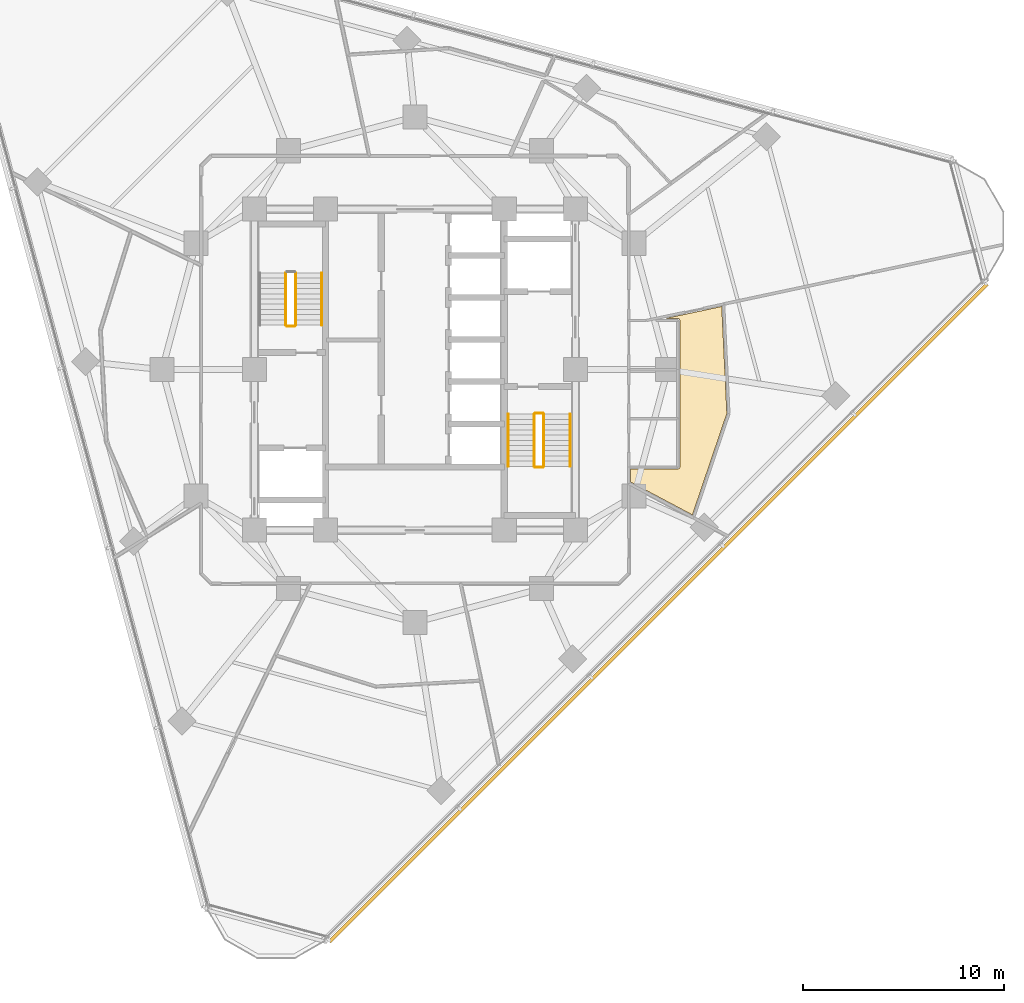
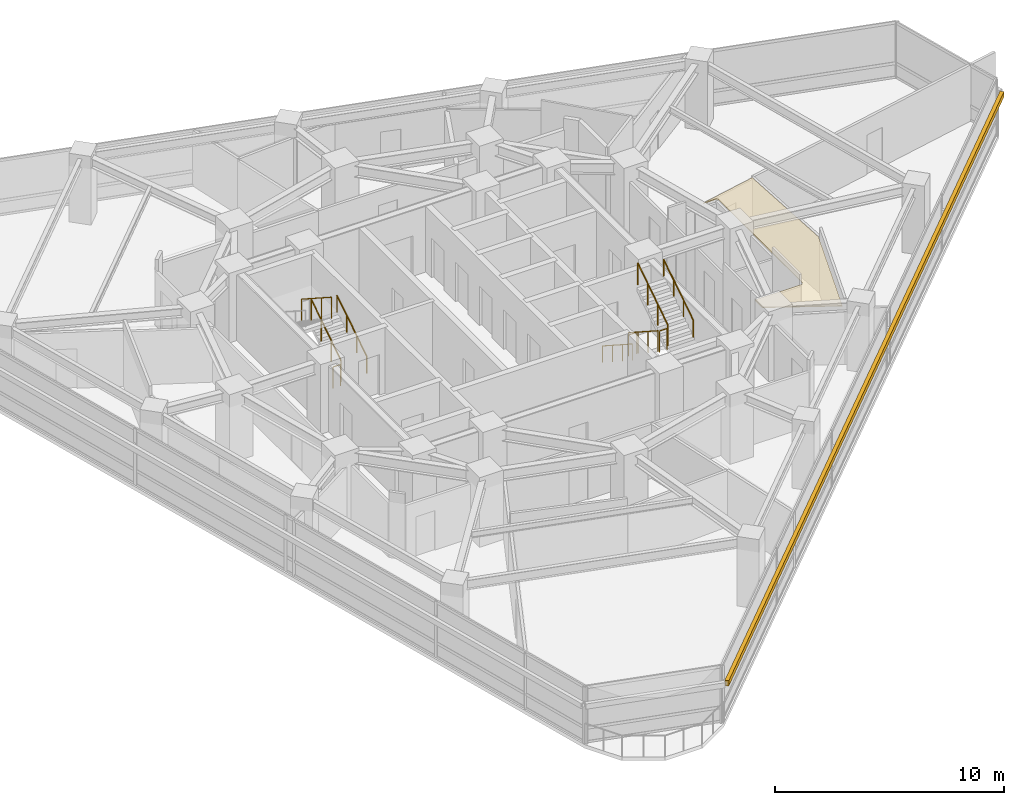
# One storey, part 12 of 14: 10 railings, 1 covering, 1 shading device.
"""IFC4 building model written with IfcOpenShell, lengths in metres."""

from ifc_helpers import new_model, si_unit, direction, frame, origin, origin_2d, place, context, subcontext, project, spatial, polyline, rectangle, circle, outline, extrude, material, layer, layer_set, type_object, element, save


model = new_model("IFC4")

# Units and contexts
model_context = context("Model", 3, precision=1e-05, world=origin(), true_north=direction((0.0, 1.0)))
body_context = subcontext(model_context, "Body", "Model", "MODEL_VIEW")
ifc_project = project(units=[si_unit("LENGTHUNIT", "METRE"), si_unit("AREAUNIT", "SQUARE_METRE"), si_unit("VOLUMEUNIT", "CUBIC_METRE"), si_unit("PLANEANGLEUNIT", "RADIAN"), si_unit("MASSUNIT", "GRAM", prefix="KILO")], contexts=[model_context])

# Site, building, storey
site_placement = place(None, origin())
site = spatial("IfcSite", under=ifc_project, at=site_placement, CompositionType="ELEMENT")
building_placement = place(site_placement, origin())
building = spatial("IfcBuilding", under=site, at=building_placement, Name="Terralouvre Media Tower", CompositionType="ELEMENT")
storey_placement = place(building_placement, frame((0.0, 0.0, 187.89990234375)))
storey = spatial("IfcBuildingStorey", under=building, at=storey_placement, Name="L48", CompositionType="ELEMENT", Elevation=187.89990234375)

# Covering
ifc_material_1 = material(Name="Perforated aluminium acoustic ceiling baffle", Category="aluminium")
ifc_layer_1 = layer(ifc_material_1, 0.0400390625, Name="Perforated Acoustic Metal Tile Ceiling CL-AC1")
ifc_layer_set_1 = layer_set([ifc_layer_1], Name="Perforated aluminium acoustic ceiling baffle")
covering_type = type_object("IfcCoveringType", Name="Perforated Acoustic Metal Tile Ceiling CL-AC1", PredefinedType="CEILING", material=ifc_layer_set_1)
covering_placement = place(storey_placement, frame((0.0, 0.0, 2.97998046875), z_axis=(0.0, 0.0, 1.0), x_axis=(0.707106781187, 0.707106781187, 0.0)))
element("IfcCovering", 1, at=covering_placement, inside=storey, type_object=covering_type, Name="L48 Artist Hospitality Kitchen 6 Acoustic Ceiling", PredefinedType="CEILING", context=body_context, shape_type="SweptSolid", body=[
    extrude(outline(polyline([(9.447265625, -12.537109375), (13.037109375, -8.585693359375), (10.6259765625, -7.019775390625), (11.066162109375, -7.4599609375), (11.07275390625, -7.46728515625), (11.07861328125, -7.47509765625), (11.083740234375, -7.483642578125), (11.087890625, -7.492431640625), (11.091064453125, -7.501708984375), (11.093505859375, -7.51123046875), (11.094970703125, -7.520751953125), (11.095458984375, -7.53076171875), (11.094970703125, -7.54052734375), (11.093505859375, -7.550048828125), (11.091064453125, -7.559814453125), (11.087890625, -7.56884765625), (11.083740234375, -7.577880859375), (11.07861328125, -7.586181640625), (11.07275390625, -7.593994140625), (11.066162109375, -7.601318359375), (5.904296875, -12.76318359375), (5.89697265625, -12.769775390625), (5.88916015625, -12.775634765625), (5.880859375, -12.78076171875), (5.871826171875, -12.784912109375), (5.86279296875, -12.788330078125), (5.85302734375, -12.79052734375), (5.843505859375, -12.7919921875), (5.833740234375, -12.79248046875), (5.82373046875, -12.7919921875), (5.814208984375, -12.79052734375), (5.8046875, -12.788330078125), (5.79541015625, -12.784912109375), (5.786376953125, -12.78076171875), (5.778076171875, -12.775634765625), (5.770263671875, -12.769775390625), (5.762939453125, -12.76318359375), (4.101318359375, -11.1015625), (3.6396484375, -11.563232421875), (4.65966796875, -14.897705078125), (9.447265625, -12.537109375)])), origin(), (0.0, 0.0, 1.0), 0.0400390625),
])

# Railings
ifc_material_2 = material(Name="Stainless steel 316 handrail and balustrade", Category="steel")
ifc_layer_2 = layer(ifc_material_2, 0.050048828125, Name="Stair Flight Wall Handrail HR-INT1")
ifc_layer_set_2 = layer_set([ifc_layer_2], Name="Stainless steel 316 handrail and balustrade")
railing_type_1 = type_object("IfcRailingType", Name="Stair Flight Wall Handrail HR-INT1", PredefinedType="HANDRAIL", material=ifc_layer_set_2)
railing_1_placement = place(storey_placement, frame((-4.64990234375, 2.219970703125, 0.168212890625)))
element("IfcRailing", 2, at=railing_1_placement, inside=storey, type_object=railing_type_1, Name="L48 ST-01 stair handrail 1", PredefinedType="HANDRAIL", context=body_context, shape_type="SweptSolid", body=[
    extrude(circle(Radius=0.02392578125, at=origin_2d()), frame((0.0, 0.0, 0.8759765625), z_axis=(0.0, 0.839648411786, 0.543130320075), x_axis=(-1.0, 0.0, 0.0)), (0.0, 0.0, 1.0), 3.0966796875),
    extrude(circle(Radius=0.02099609375, at=origin_2d()), origin(), (0.0, 0.0, 1.0), 0.851806640625),
    extrude(circle(Radius=0.02099609375, at=origin_2d()), frame((0.0, 0.86669921875, 0.560546875)), (0.0, 0.0, 1.0), 0.851806640625),
    extrude(circle(Radius=0.02099609375, at=origin_2d()), frame((0.0, 1.7333984375, 1.121337890625)), (0.0, 0.0, 1.0), 0.851806640625),
    extrude(circle(Radius=0.02099609375, at=origin_2d()), frame((0.0, 2.60009765625, 1.681884765625)), (0.0, 0.0, 1.0), 0.851806640625),
])
railing_2_placement = place(storey_placement, frame((4.64990234375, -2.219970703125, 0.168212890625)))
element("IfcRailing", 3, at=railing_2_placement, inside=storey, type_object=railing_type_1, Name="L48 ST-02 stair handrail 1", PredefinedType="HANDRAIL", context=body_context, shape_type="SweptSolid", body=[
    extrude(circle(Radius=0.02392578125, at=origin_2d()), frame((0.0, 0.0, 0.8759765625), z_axis=(0.0, -0.839648411786, 0.543130320075), x_axis=(1.0, 0.0, 0.0)), (0.0, 0.0, 1.0), 3.0966796875),
    extrude(circle(Radius=0.02099609375, at=origin_2d()), origin(), (0.0, 0.0, 1.0), 0.851806640625),
    extrude(circle(Radius=0.02099609375, at=origin_2d()), frame((0.0, -0.86669921875, 0.560546875)), (0.0, 0.0, 1.0), 0.851806640625),
    extrude(circle(Radius=0.02099609375, at=origin_2d()), frame((0.0, -1.7333984375, 1.121337890625)), (0.0, 0.0, 1.0), 0.851806640625),
    extrude(circle(Radius=0.02099609375, at=origin_2d()), frame((0.0, -2.60009765625, 1.681884765625)), (0.0, 0.0, 1.0), 0.851806640625),
])
railing_3_placement = place(storey_placement, frame((7.72998046875, -4.820068359375, 2.018310546875)))
element("IfcRailing", 4, at=railing_3_placement, inside=storey, type_object=railing_type_1, Name="L48 ST-02 stair handrail 2", PredefinedType="HANDRAIL", context=body_context, shape_type="SweptSolid", body=[
    extrude(circle(Radius=0.02392578125, at=origin_2d()), frame((0.0, 0.0, 0.8759765625), z_axis=(0.0, 0.839648411786, 0.543130320075), x_axis=(-1.0, 0.0, 0.0)), (0.0, 0.0, 1.0), 3.0966796875),
    extrude(circle(Radius=0.02099609375, at=origin_2d()), origin(), (0.0, 0.0, 1.0), 0.851806640625),
    extrude(circle(Radius=0.02099609375, at=origin_2d()), frame((0.0, 0.86669921875, 0.560546875)), (0.0, 0.0, 1.0), 0.851806640625),
    extrude(circle(Radius=0.02099609375, at=origin_2d()), frame((0.0, 1.7333984375, 1.121337890625)), (0.0, 0.0, 1.0), 0.851806640625),
    extrude(circle(Radius=0.02099609375, at=origin_2d()), frame((0.0, 2.60009765625, 1.681884765625)), (0.0, 0.0, 1.0), 0.851806640625),
])
ifc_material_3 = material(Name="Stainless steel 316 handrail and balustrade", Category="steel")
ifc_layer_3 = layer(ifc_material_3, 0.050048828125, Name="Stairwell Safety Guardrail GR-INT1")
ifc_layer_set_3 = layer_set([ifc_layer_3], Name="Stainless steel 316 handrail and balustrade")
railing_type_2 = type_object("IfcRailingType", Name="Stairwell Safety Guardrail GR-INT1", PredefinedType="GUARDRAIL", material=ifc_layer_set_3)
railing_4_placement = place(storey_placement, frame((-5.949951171875, 2.219970703125, 0.168212890625)))
element("IfcRailing", 5, at=railing_4_placement, inside=storey, type_object=railing_type_2, Name="L48 ST-01 stair guard 1", PredefinedType="GUARDRAIL", context=body_context, shape_type="SweptSolid", body=[
    extrude(circle(Radius=0.02392578125, at=origin_2d()), frame((0.0, 0.0, 1.1259765625), z_axis=(0.0, 0.839648411786, 0.543130320075), x_axis=(-1.0, 0.0, 0.0)), (0.0, 0.0, 1.0), 3.0966796875),
    extrude(circle(Radius=0.02099609375, at=origin_2d()), origin(), (0.0, 0.0, 1.0), 1.101806640625),
    extrude(circle(Radius=0.02099609375, at=origin_2d()), frame((0.0, 0.86669921875, 0.560546875)), (0.0, 0.0, 1.0), 1.101806640625),
    extrude(circle(Radius=0.02099609375, at=origin_2d()), frame((0.0, 1.7333984375, 1.121337890625)), (0.0, 0.0, 1.0), 1.101806640625),
    extrude(circle(Radius=0.02099609375, at=origin_2d()), frame((0.0, 2.60009765625, 1.681884765625)), (0.0, 0.0, 1.0), 1.101806640625),
])
railing_5_placement = place(storey_placement, frame((-6.429931640625, 4.820068359375, 2.018310546875)))
element("IfcRailing", 6, at=railing_5_placement, inside=storey, type_object=railing_type_2, Name="L48 ST-01 stair guard 3", PredefinedType="GUARDRAIL", context=body_context, shape_type="SweptSolid", body=[
    extrude(circle(Radius=0.02392578125, at=origin_2d()), frame((0.0, 0.0, 1.1259765625), z_axis=(0.0, -0.839648411786, 0.543130320075), x_axis=(1.0, 0.0, 0.0)), (0.0, 0.0, 1.0), 3.0966796875),
    extrude(circle(Radius=0.02099609375, at=origin_2d()), origin(), (0.0, 0.0, 1.0), 1.101806640625),
    extrude(circle(Radius=0.02099609375, at=origin_2d()), frame((0.0, -0.86669921875, 0.560546875)), (0.0, 0.0, 1.0), 1.101806640625),
    extrude(circle(Radius=0.02099609375, at=origin_2d()), frame((0.0, -1.7333984375, 1.121337890625)), (0.0, 0.0, 1.0), 1.101806640625),
    extrude(circle(Radius=0.02099609375, at=origin_2d()), frame((0.0, -2.60009765625, 1.681884765625)), (0.0, 0.0, 1.0), 1.101806640625),
])
railing_6_placement = place(storey_placement, frame((-6.0, 2.169921875, 0.0)))
element("IfcRailing", 7, at=railing_6_placement, inside=storey, type_object=railing_type_2, Name="L48 ST-01 stair guard 4", PredefinedType="GUARDRAIL", context=body_context, shape_type="SweptSolid", body=[
    extrude(circle(Radius=0.02392578125, at=origin_2d()), frame((0.0, 0.0, 1.1259765625), z_axis=(-1.0, 0.0, 0.0), x_axis=(0.0, -1.0, 0.0)), (0.0, 0.0, 1.0), 0.3798828125),
    extrude(circle(Radius=0.02099609375, at=origin_2d()), origin(), (0.0, 0.0, 1.0), 1.101806640625),
    extrude(circle(Radius=0.02099609375, at=origin_2d()), frame((-0.3798828125, 0.0, 0.0)), (0.0, 0.0, 1.0), 1.101806640625),
])
railing_7_placement = place(storey_placement, frame((5.949951171875, -2.219970703125, 0.168212890625)))
element("IfcRailing", 8, at=railing_7_placement, inside=storey, type_object=railing_type_2, Name="L48 ST-02 stair guard 1", PredefinedType="GUARDRAIL", context=body_context, shape_type="SweptSolid", body=[
    extrude(circle(Radius=0.02392578125, at=origin_2d()), frame((0.0, 0.0, 1.1259765625), z_axis=(0.0, -0.839648411786, 0.543130320075), x_axis=(1.0, 0.0, 0.0)), (0.0, 0.0, 1.0), 3.0966796875),
    extrude(circle(Radius=0.02099609375, at=origin_2d()), origin(), (0.0, 0.0, 1.0), 1.101806640625),
    extrude(circle(Radius=0.02099609375, at=origin_2d()), frame((0.0, -0.86669921875, 0.560546875)), (0.0, 0.0, 1.0), 1.101806640625),
    extrude(circle(Radius=0.02099609375, at=origin_2d()), frame((0.0, -1.7333984375, 1.121337890625)), (0.0, 0.0, 1.0), 1.101806640625),
    extrude(circle(Radius=0.02099609375, at=origin_2d()), frame((0.0, -2.60009765625, 1.681884765625)), (0.0, 0.0, 1.0), 1.101806640625),
])
railing_8_placement = place(storey_placement, frame((6.0, -4.8701171875, 1.85009765625)))
element("IfcRailing", 9, at=railing_8_placement, inside=storey, type_object=railing_type_2, Name="L48 ST-02 stair guard 2", PredefinedType="GUARDRAIL", context=body_context, shape_type="SweptSolid", body=[
    extrude(circle(Radius=0.02392578125, at=origin_2d()), frame((0.0, 0.0, 1.1259765625), z_axis=(1.0, 0.0, 0.0), x_axis=(0.0, 1.0, 0.0)), (0.0, 0.0, 1.0), 0.3798828125),
    extrude(circle(Radius=0.02099609375, at=origin_2d()), origin(), (0.0, 0.0, 1.0), 1.101806640625),
    extrude(circle(Radius=0.02099609375, at=origin_2d()), frame((0.3798828125, 0.0, 0.0)), (0.0, 0.0, 1.0), 1.101806640625),
])
railing_9_placement = place(storey_placement, frame((6.429931640625, -4.820068359375, 2.018310546875)))
element("IfcRailing", 10, at=railing_9_placement, inside=storey, type_object=railing_type_2, Name="L48 ST-02 stair guard 3", PredefinedType="GUARDRAIL", context=body_context, shape_type="SweptSolid", body=[
    extrude(circle(Radius=0.02392578125, at=origin_2d()), frame((0.0, 0.0, 1.1259765625), z_axis=(0.0, 0.839648411786, 0.543130320075), x_axis=(-1.0, 0.0, 0.0)), (0.0, 0.0, 1.0), 3.0966796875),
    extrude(circle(Radius=0.02099609375, at=origin_2d()), origin(), (0.0, 0.0, 1.0), 1.101806640625),
    extrude(circle(Radius=0.02099609375, at=origin_2d()), frame((0.0, 0.86669921875, 0.560546875)), (0.0, 0.0, 1.0), 1.101806640625),
    extrude(circle(Radius=0.02099609375, at=origin_2d()), frame((0.0, 1.7333984375, 1.121337890625)), (0.0, 0.0, 1.0), 1.101806640625),
    extrude(circle(Radius=0.02099609375, at=origin_2d()), frame((0.0, 2.60009765625, 1.681884765625)), (0.0, 0.0, 1.0), 1.101806640625),
])
railing_10_placement = place(storey_placement, frame((6.0, -2.169921875, 0.0)))
element("IfcRailing", 11, at=railing_10_placement, inside=storey, type_object=railing_type_2, Name="L48 ST-02 stair guard 4", PredefinedType="GUARDRAIL", context=body_context, shape_type="SweptSolid", body=[
    extrude(circle(Radius=0.02392578125, at=origin_2d()), frame((0.0, 0.0, 1.1259765625), z_axis=(1.0, 0.0, 0.0), x_axis=(0.0, 1.0, 0.0)), (0.0, 0.0, 1.0), 0.3798828125),
    extrude(circle(Radius=0.02099609375, at=origin_2d()), origin(), (0.0, 0.0, 1.0), 1.101806640625),
    extrude(circle(Radius=0.02099609375, at=origin_2d()), frame((0.3798828125, 0.0, 0.0)), (0.0, 0.0, 1.0), 1.101806640625),
])

# Shading device
ifc_material_4 = material(Name="Extruded terracotta baguette sunshade louvres", Category="masonry")
shading_device_type = type_object("IfcShadingDeviceType", Name="Terracotta Baguette Sunshade Louvre Screen TB-LV1", PredefinedType="USERDEFINED", material=ifc_material_4)
shading_device_placement = place(storey_placement, frame((12.121826171875, -12.121826171875, 2.02392578125), z_axis=(0.0, 0.0, 1.0), x_axis=(0.707106781187, 0.707106781187, 0.0)))
element("IfcShadingDevice", 12, at=shading_device_placement, inside=storey, type_object=shading_device_type, Name="CW-L48-F0 Terracotta Baguette Sunshade Louvre", ObjectType="BAGUETTE", PredefinedType="USERDEFINED", context=body_context, shape_type="SweptSolid", body=[
    extrude(rectangle(XDim=46.360107421875, YDim=0.179931640625, at=origin_2d()), origin(), (0.0, 0.0, 1.0), 0.280029296875),
])

save(model, "model.ifc")
